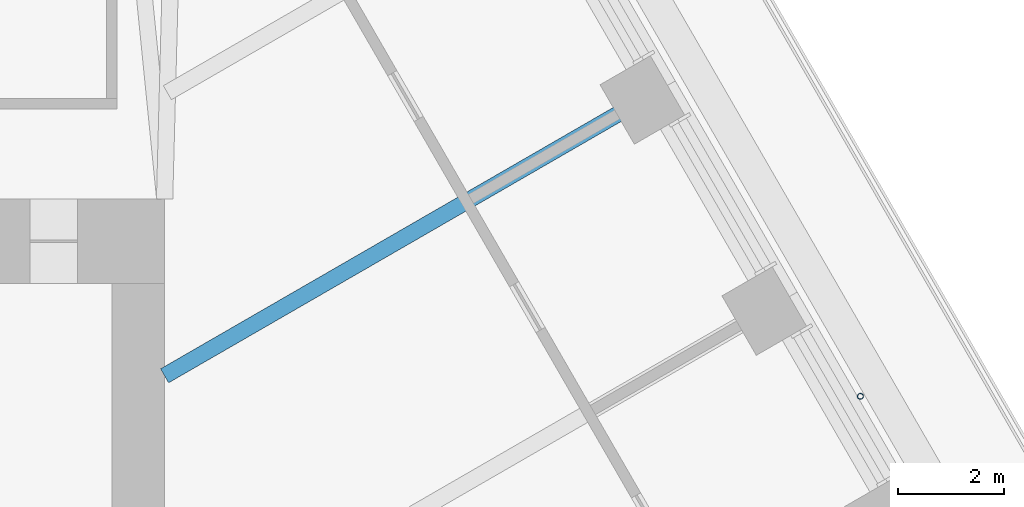
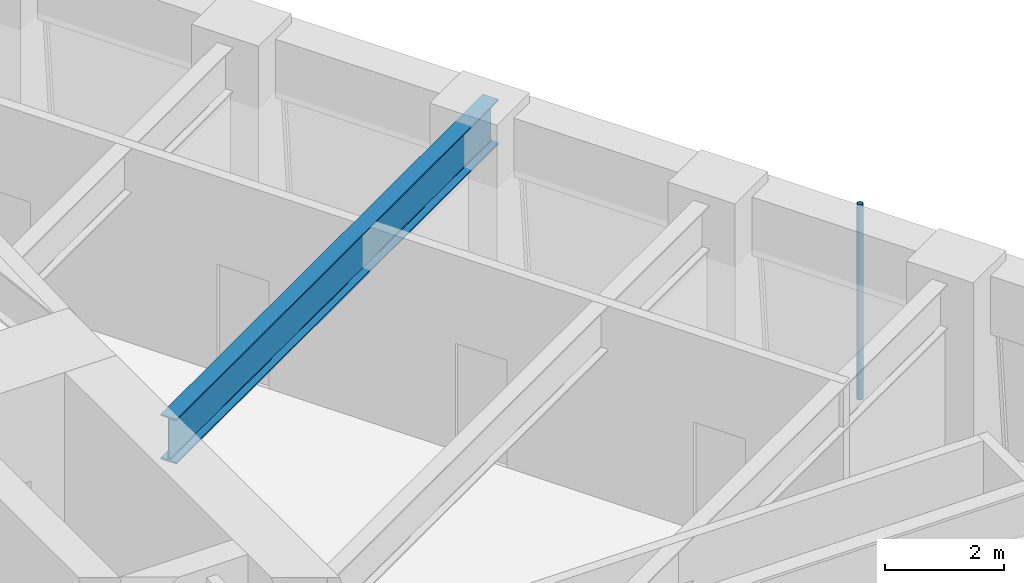
# One storey, part 10 of 20: 1 beam, 1 member.
"""IFC4 building model written with IfcOpenShell, lengths in metres."""

from ifc_helpers import new_model, si_unit, direction, frame, origin, origin_2d, place, context, subcontext, project, spatial, hollow_circle, i_section, extrude, material, material_profile, profile_set, type_object, element, save


model = new_model("IFC4")

# Units and contexts
model_context = context("Model", 3, precision=1e-05, world=origin(), true_north=direction((0.0, 1.0)))
body_context = subcontext(model_context, "Body", "Model", "MODEL_VIEW")
ifc_project = project(units=[si_unit("LENGTHUNIT", "METRE"), si_unit("AREAUNIT", "SQUARE_METRE"), si_unit("VOLUMEUNIT", "CUBIC_METRE"), si_unit("PLANEANGLEUNIT", "RADIAN"), si_unit("MASSUNIT", "GRAM", prefix="KILO")], contexts=[model_context])

# Site, building, storey
site_placement = place(None, origin())
site = spatial("IfcSite", under=ifc_project, at=site_placement, CompositionType="ELEMENT")
building_placement = place(site_placement, origin())
building = spatial("IfcBuilding", under=site, at=building_placement, Name="Tarfa Lantern Tower", CompositionType="ELEMENT")
storey_placement = place(building_placement, frame((0.0, 0.0, 240.699951171875)))
storey = spatial("IfcBuildingStorey", under=building, at=storey_placement, Name="L54", CompositionType="ELEMENT", Elevation=240.699951171875)

# Member
ifc_material_1 = material(Name="Steel S355", Category="steel")
ifc_material_profile_1 = material_profile(ifc_material_1, hollow_circle(Radius=0.05712890625, WallThickness=0.00634765625, at=origin_2d()), Name="CHS114.3x6.3")
ifc_profile_set_1 = profile_set([ifc_material_profile_1], Name="Steel S355")
member_type = type_object("IfcMemberType", Name="TR1 GREEN WALL TRELLIS CHS114.3x6.3", PredefinedType="USERDEFINED", material=ifc_profile_set_1)
member_placement = place(storey_placement, frame((28.682861328125, 8.56005859375, 0.0), z_axis=(0.0, 0.0, 1.0), x_axis=(1.0, 0.0, 0.0)))
element("IfcMember", 1, at=member_placement, inside=storey, type_object=member_type, Name="Trellis post NE 1", ObjectType="TRELLIS", PredefinedType="USERDEFINED", context=body_context, shape_type="SweptSolid", body=[
    extrude(hollow_circle(Radius=0.05712890625, WallThickness=0.00634765625, at=origin_2d()), origin(), (0.0, 0.0, 1.0), 4.0),
])

# Beam
ifc_material_2 = material(Name="Steel S460M", Category="steel")
ifc_material_profile_2 = material_profile(ifc_material_2, i_section(OverallWidth=0.305419921875, OverallDepth=0.91845703125, WebThickness=0.017333984375, FlangeThickness=0.02783203125, FilletRadius=0.01904296875, at=origin_2d()), Name="UB914x305x253")
ifc_profile_set_2 = profile_set([ifc_material_profile_2], Name="Steel S460M")
beam_type = type_object("IfcBeamType", Name="UB914x305x253", PredefinedType="BEAM", material=ifc_profile_set_2)
beam_placement = place(storey_placement, frame((24.872314453125, 14.360107421875, 3.540771484375), z_axis=(-0.8660244219, -0.500001700669, 0.0), x_axis=(0.500001700669, -0.8660244219, 0.0)))
element("IfcBeam", 2, at=beam_placement, inside=storey, type_object=beam_type, Name="Floor beam NE3", PredefinedType="BEAM", context=body_context, shape_type="SweptSolid", body=[
    extrude(i_section(OverallWidth=0.305419921875, OverallDepth=0.91845703125, WebThickness=0.017333984375, FlangeThickness=0.02783203125, FilletRadius=0.01904296875, at=origin_2d()), origin(), (0.0, 0.0, 1.0), 10.822265625),
])

save(model, "model.ifc")
